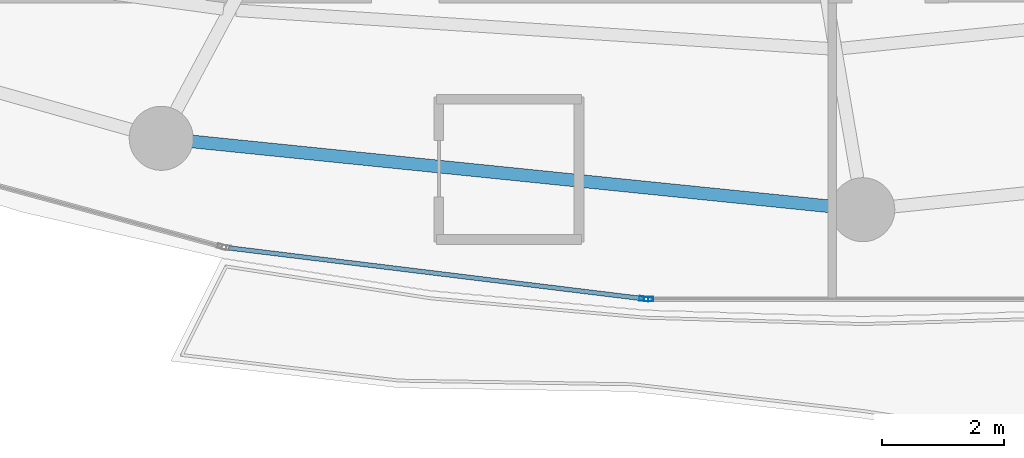
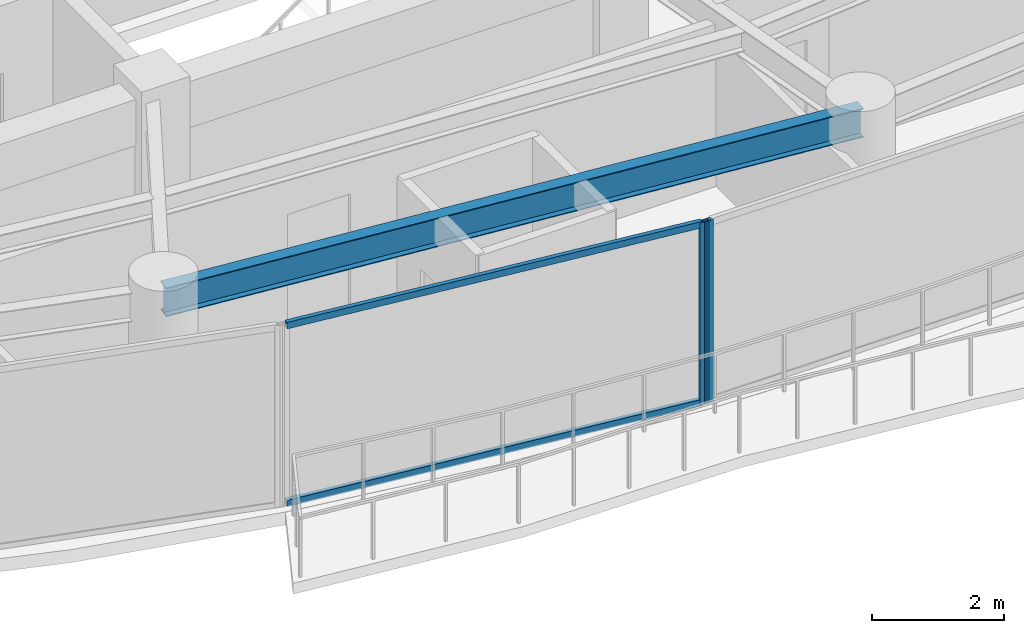
# One storey, part 6 of 31: 4 members, 1 beam, 2 elements without a shape of their own.
"""IFC4 building model written with IfcOpenShell, lengths in metres."""

from ifc_helpers import new_model, si_unit, direction, frame, origin, origin_2d, place, context, subcontext, project, spatial, hollow_rectangle, i_section, extrude, material, layer, layer_set, material_profile, profile_set, type_object, element, aggregate, save


model = new_model("IFC4")

# Units and contexts
model_context = context("Model", 3, precision=1e-05, world=origin(), true_north=direction((0.0, 1.0)))
body_context = subcontext(model_context, "Body", "Model", "MODEL_VIEW")
ifc_project = project(units=[si_unit("LENGTHUNIT", "METRE"), si_unit("AREAUNIT", "SQUARE_METRE"), si_unit("VOLUMEUNIT", "CUBIC_METRE"), si_unit("PLANEANGLEUNIT", "RADIAN"), si_unit("MASSUNIT", "GRAM", prefix="KILO")], contexts=[model_context])

# Site, building, storey
site_placement = place(None, origin())
site = spatial("IfcSite", under=ifc_project, at=site_placement, CompositionType="ELEMENT")
building_placement = place(site_placement, origin())
building = spatial("IfcBuilding", under=site, at=building_placement, Name="Kazevale Care Tower and Concert Hall", CompositionType="ELEMENT")
storey_placement = place(building_placement, frame((0.0, 0.0, 235.199951171875)))
storey = spatial("IfcBuildingStorey", under=building, at=storey_placement, Name="L62", CompositionType="ELEMENT", Elevation=235.199951171875)

# Curtain wall, member
ifc_material_1 = material(Name="Aluminium 6063-T6 and Low-E Glass", Category="aluminium")
ifc_layer = layer(ifc_material_1, 0.179931640625)
ifc_layer_set = layer_set([ifc_layer], Name="Aluminium 6063-T6 and Low-E Glass")
curtain_wall_type = type_object("IfcCurtainWallType", Name="Sheltered Concave Balcony Curtain Wall CW-5", PredefinedType="NOTDEFINED", material=ifc_layer_set)
curtain_wall_1_placement = place(storey_placement, origin())
curtain_wall_1 = element("IfcCurtainWall", 1, at=curtain_wall_1_placement, inside=storey, type_object=curtain_wall_type, Name="cw:L62:f06", PredefinedType="NOTDEFINED")
ifc_material_2 = material(Name="Aluminium 6063-T6", Category="aluminium")
ifc_material_profile_1 = material_profile(ifc_material_2, hollow_rectangle(XDim=0.074951171875, YDim=0.14990234375, WallThickness=0.00390625, at=origin_2d()), Name="ALU75x150x4")
ifc_profile_set_1 = profile_set([ifc_material_profile_1], Name="Aluminium 6063-T6")
member_type_1 = type_object("IfcMemberType", Name="CW-5 Mullion ALU75x150x4", PredefinedType="MULLION", material=ifc_profile_set_1)
member_1_placement = place(storey_placement, frame((41.487548828125, 16.284912109375, 0.0), z_axis=(0.0, 0.0, 1.0), x_axis=(0.0, -1.0, 0.0)))
member_1 = element("IfcMember", 2, at=member_1_placement, type_object=member_type_1, Name="CW-5 mullion 2", PredefinedType="MULLION", context=body_context, shape_type="SweptSolid", body=[
    extrude(hollow_rectangle(XDim=0.074951171875, YDim=0.14990234375, WallThickness=0.00390625, at=origin_2d()), origin(), (0.0, 0.0, 1.0), 3.360107421875),
])
aggregate(curtain_wall_1, [member_1])

# Curtain wall, members
curtain_wall_2_placement = place(storey_placement, origin())
curtain_wall_2 = element("IfcCurtainWall", 3, at=curtain_wall_2_placement, inside=storey, type_object=curtain_wall_type, Name="cw:L62:f07", PredefinedType="NOTDEFINED")
member_2_placement = place(storey_placement, frame((41.412841796875, 16.28955078125, 0.0), z_axis=(0.0, 0.0, 1.0), x_axis=(-0.121650797964, -0.992572961225, 0.0)))
member_2 = element("IfcMember", 4, at=member_2_placement, type_object=member_type_1, Name="CW-5 mullion 1", PredefinedType="MULLION", context=body_context, shape_type="SweptSolid", body=[
    extrude(hollow_rectangle(XDim=0.074951171875, YDim=0.14990234375, WallThickness=0.00390625, at=origin_2d()), origin(), (0.0, 0.0, 1.0), 3.360107421875),
])
ifc_material_profile_2 = material_profile(ifc_material_2, hollow_rectangle(XDim=0.074951171875, YDim=0.1201171875, WallThickness=0.00390625, at=origin_2d()), Name="ALU75x120x4")
ifc_profile_set_2 = profile_set([ifc_material_profile_2], Name="Aluminium 6063-T6")
member_type_2 = type_object("IfcMemberType", Name="CW-5 Transom ALU75x120x4", PredefinedType="USERDEFINED", material=ifc_profile_set_2)
member_3_placement = place(storey_placement, frame((41.37548828125, 16.294189453125, 0.03759765625), z_axis=(-0.992575633306, 0.121628993941, 0.0), x_axis=(-0.121628993941, -0.992575633306, 0.0)))
member_3 = element("IfcMember", 5, at=member_3_placement, type_object=member_type_2, Name="CW-5 transom 1.1", ObjectType="TRANSOM", PredefinedType="USERDEFINED", context=body_context, shape_type="SweptSolid", body=[
    extrude(hollow_rectangle(XDim=0.074951171875, YDim=0.1201171875, WallThickness=0.00390625, at=origin_2d()), origin(), (0.0, 0.0, 1.0), 6.820556640625),
])
member_4_placement = place(storey_placement, frame((41.37548828125, 16.294189453125, 3.322509765625), z_axis=(-0.992575633306, 0.121628993941, 0.0), x_axis=(-0.121628993941, -0.992575633306, 0.0)))
member_4 = element("IfcMember", 6, at=member_4_placement, type_object=member_type_2, Name="CW-5 transom 1.2", ObjectType="TRANSOM", PredefinedType="USERDEFINED", context=body_context, shape_type="SweptSolid", body=[
    extrude(hollow_rectangle(XDim=0.074951171875, YDim=0.1201171875, WallThickness=0.00390625, at=origin_2d()), origin(), (0.0, 0.0, 1.0), 6.820556640625),
])
aggregate(curtain_wall_2, [member_2, member_3, member_4])

# Beam
ifc_material_3 = material(Name="Steel ASTM A572 Gr 50", Category="steel")
ifc_material_profile_3 = material_profile(ifc_material_3, i_section(OverallWidth=0.208984375, OverallDepth=0.532958984375, WebThickness=0.01025390625, FlangeThickness=0.015625, at=origin_2d()), Name="W530x92")
ifc_profile_set_3 = profile_set([ifc_material_profile_3], Name="Steel ASTM A572 Gr 50")
beam_type = type_object("IfcBeamType", Name="Upper Ring Beam W530x92", PredefinedType="BEAM", material=ifc_profile_set_3)
beam_placement = place(storey_placement, frame((33.5, 18.919921875, 3.093505859375), z_axis=(0.994865089307, -0.101209950492, 0.0), x_axis=(0.101209950492, 0.994865089307, 0.0)))
element("IfcBeam", 7, at=beam_placement, inside=storey, type_object=beam_type, Name="beam:L62:ring:12", PredefinedType="BEAM", context=body_context, shape_type="SweptSolid", body=[
    extrude(i_section(OverallWidth=0.208984375, OverallDepth=0.532958984375, WebThickness=0.01025390625, FlangeThickness=0.015625, at=origin_2d()), origin(), (0.0, 0.0, 1.0), 11.559326171875),
])

save(model, "model.ifc")
